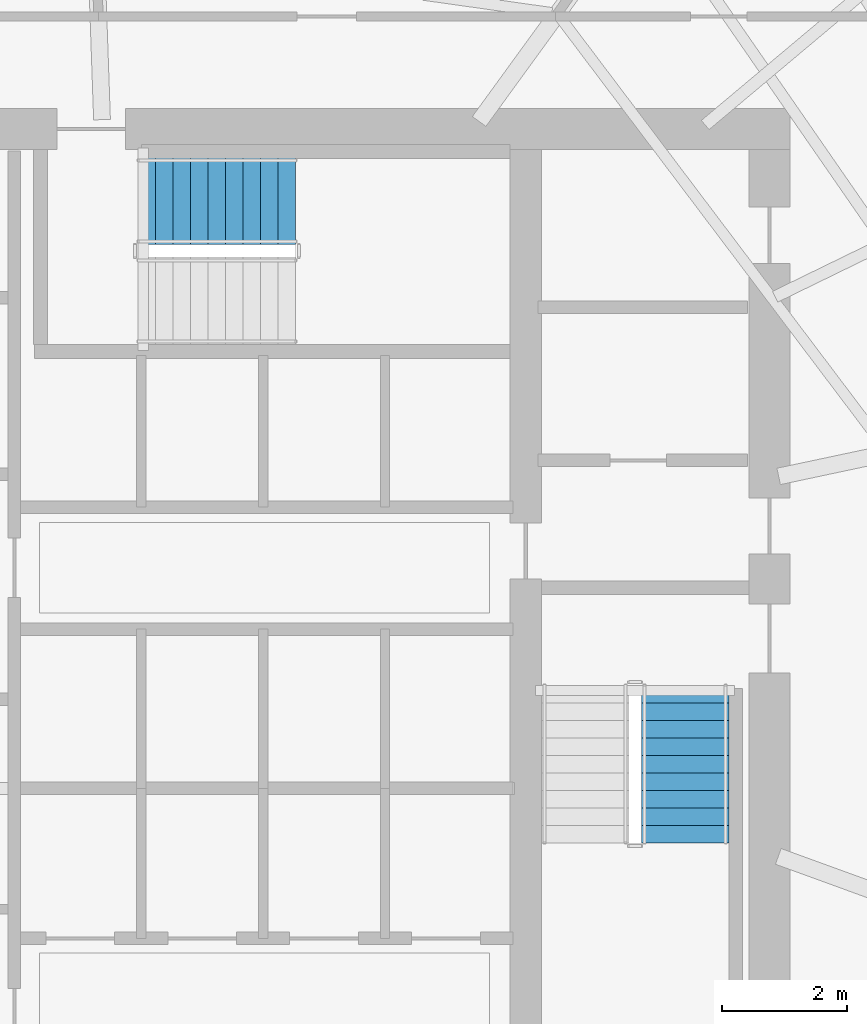
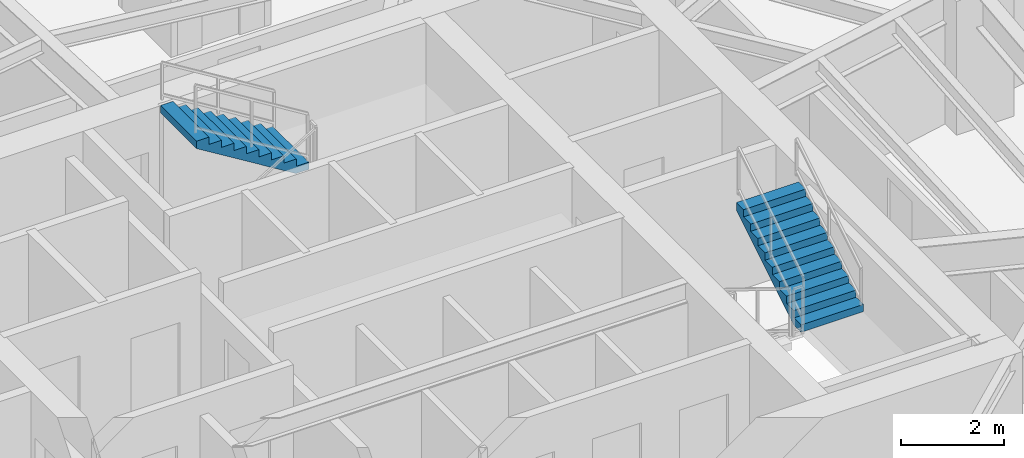
# One storey, part 27 of 31: 2 stair flights, 2 elements without a shape of their own.
"""IFC4 building model written with IfcOpenShell, lengths in metres."""

from ifc_helpers import new_model, si_unit, direction, frame, origin, place, context, subcontext, project, spatial, polyline, outline, extrude, material, type_object, element, aggregate, save


model = new_model("IFC4")

# Units and contexts
model_context = context("Model", 3, precision=1e-05, world=origin(), true_north=direction((0.0, 1.0)))
body_context = subcontext(model_context, "Body", "Model", "MODEL_VIEW")
ifc_project = project(units=[si_unit("LENGTHUNIT", "METRE"), si_unit("AREAUNIT", "SQUARE_METRE"), si_unit("VOLUMEUNIT", "CUBIC_METRE"), si_unit("PLANEANGLEUNIT", "RADIAN"), si_unit("MASSUNIT", "GRAM", prefix="KILO")], contexts=[model_context])

# Site, building, storey
site_placement = place(None, origin())
site = spatial("IfcSite", under=ifc_project, at=site_placement, CompositionType="ELEMENT")
building_placement = place(site_placement, origin())
building = spatial("IfcBuilding", under=site, at=building_placement, Name="Qarnah Convention Tower", CompositionType="ELEMENT")
storey_placement = place(building_placement, frame((0.0, 0.0, 64.949951171875)))
storey = spatial("IfcBuildingStorey", under=building, at=storey_placement, Name="L16", CompositionType="ELEMENT", Elevation=64.949951171875)

# Stair, stair flight
ifc_material = material(Name="Concrete C50/60", Category="concrete")
stair_type = type_object("IfcStairType", Name="STR-HTL", PredefinedType="HALF_TURN_STAIR", material=ifc_material)
stair_1_placement = place(storey_placement, origin())
stair_1 = element("IfcStair", 1, at=stair_1_placement, inside=storey, type_object=stair_type, Name="L16 Core exit stair ST-2", PredefinedType="HALF_TURN_STAIR")
stair_flight_type = type_object("IfcStairFlightType", Name="FLT-HTL", PredefinedType="STRAIGHT", material=ifc_material)
stair_flight_1_placement = place(storey_placement, frame((46.25, 22.780029296875, 1.72509765625), z_axis=(0.0, 0.0, 1.0), x_axis=(0.0, 1.0, 0.0)))
stair_flight_1 = element("IfcStairFlight", 2, at=stair_flight_1_placement, type_object=stair_flight_type, Name="ST-2 flight 2", NumberOfRisers=10, NumberOfTreads=9, PredefinedType="STRAIGHT", RiserHeight=0.1725, TreadLength=0.28, context=body_context, shape_type="SweptSolid", body=[
    extrude(outline(polyline([(0.0, 0.0), (0.0, 0.172607421875), (0.280029296875, 0.172607421875), (0.280029296875, 0.344970703125), (0.56005859375, 0.344970703125), (0.56005859375, 0.517578125), (0.840087890625, 0.517578125), (0.840087890625, 0.68994140625), (1.1201171875, 0.68994140625), (1.1201171875, 0.862548828125), (1.39990234375, 0.862548828125), (1.39990234375, 1.034912109375), (1.679931640625, 1.034912109375), (1.679931640625, 1.20751953125), (1.9599609375, 1.20751953125), (1.9599609375, 1.3798828125), (2.239990234375, 1.3798828125), (2.239990234375, 1.552490234375), (2.52001953125, 1.552490234375), (2.52001953125, 1.72509765625), (2.52001953125, 1.37646484375), (0.285888671875, 0.0), (0.0, 0.0)])), frame((0.0, 0.699951171875, 0.0), z_axis=(0.0, -1.0, 0.0), x_axis=(1.0, 0.0, 0.0)), (0.0, 0.0, 1.0), 1.39990234375),
])
aggregate(stair_1, [stair_flight_1])

stair_2_placement = place(storey_placement, origin())
stair_2 = element("IfcStair", 3, at=stair_2_placement, inside=storey, type_object=stair_type, Name="L16 Core exit stair ST-3", PredefinedType="HALF_TURN_STAIR")
stair_flight_2_placement = place(storey_placement, frame((40.02001953125, 33.050048828125, 1.72509765625), z_axis=(0.0, 0.0, 1.0), x_axis=(-1.0, 0.0, 0.0)))
stair_flight_2 = element("IfcStairFlight", 4, at=stair_flight_2_placement, type_object=stair_flight_type, Name="ST-3 flight 2", NumberOfRisers=10, NumberOfTreads=9, PredefinedType="STRAIGHT", RiserHeight=0.1725, TreadLength=0.28, context=body_context, shape_type="SweptSolid", body=[
    extrude(outline(polyline([(0.0, 0.0), (0.0, 0.172607421875), (0.280029296875, 0.172607421875), (0.280029296875, 0.344970703125), (0.56005859375, 0.344970703125), (0.56005859375, 0.517578125), (0.840087890625, 0.517578125), (0.840087890625, 0.68994140625), (1.1201171875, 0.68994140625), (1.1201171875, 0.862548828125), (1.39990234375, 0.862548828125), (1.39990234375, 1.034912109375), (1.679931640625, 1.034912109375), (1.679931640625, 1.20751953125), (1.9599609375, 1.20751953125), (1.9599609375, 1.3798828125), (2.239990234375, 1.3798828125), (2.239990234375, 1.552490234375), (2.52001953125, 1.552490234375), (2.52001953125, 1.72509765625), (2.52001953125, 1.37646484375), (0.285888671875, 0.0), (0.0, 0.0)])), frame((0.0, 0.699951171875, 0.0), z_axis=(0.0, -1.0, 0.0), x_axis=(1.0, 0.0, 0.0)), (0.0, 0.0, 1.0), 1.39990234375),
])
aggregate(stair_2, [stair_flight_2])

save(model, "model.ifc")
